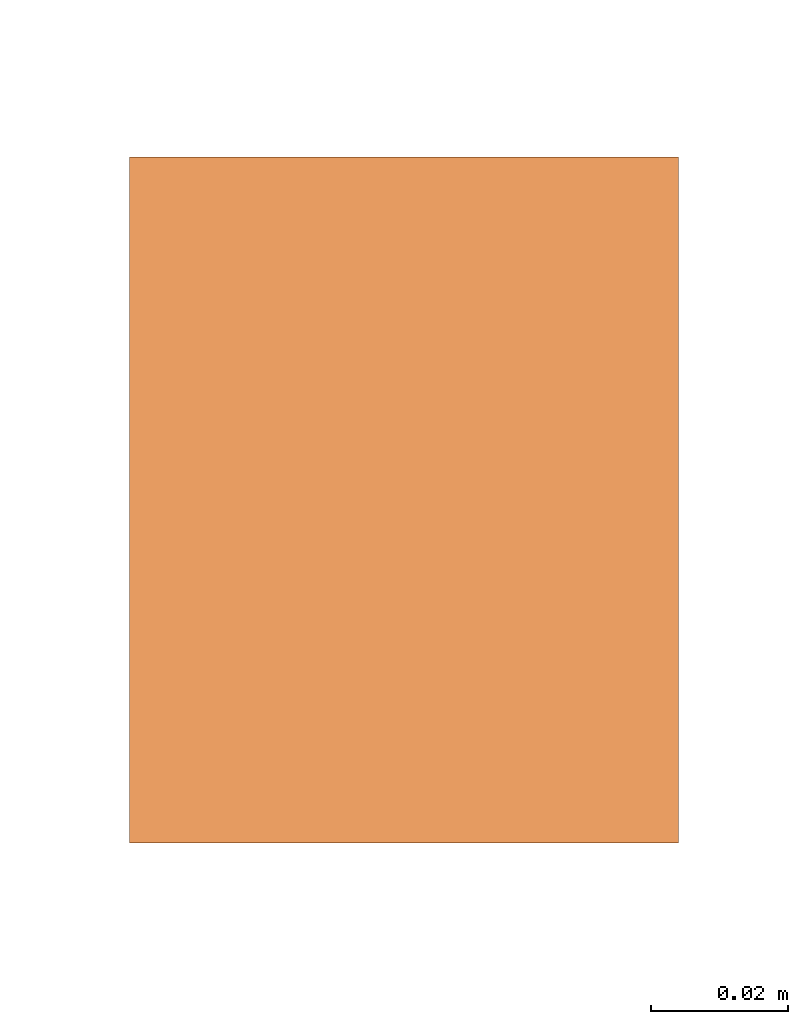
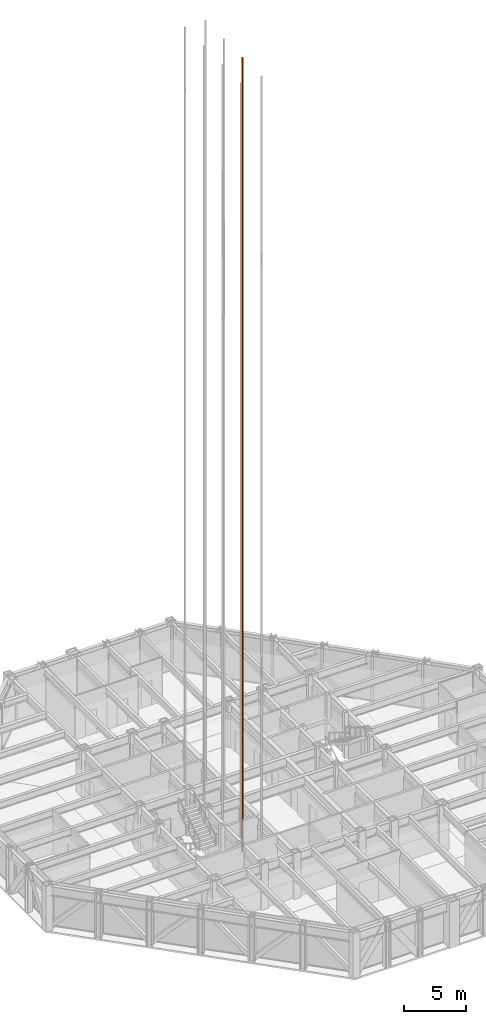
# One storey, part 20 of 24: 1 proxy.
"""IFC4 building model written with IfcOpenShell, lengths in metres."""

from ifc_helpers import new_model, si_unit, direction, frame, origin, origin_2d, place, context, subcontext, project, spatial, rectangle, extrude, material, type_object, element, save


model = new_model("IFC4")

# Units and contexts
model_context = context("Model", 3, precision=1e-05, world=origin(), true_north=direction((0.0, 1.0)))
body_context = subcontext(model_context, "Body", "Model", "MODEL_VIEW")
ifc_project = project(units=[si_unit("LENGTHUNIT", "METRE"), si_unit("AREAUNIT", "SQUARE_METRE"), si_unit("VOLUMEUNIT", "CUBIC_METRE"), si_unit("PLANEANGLEUNIT", "RADIAN"), si_unit("MASSUNIT", "GRAM", prefix="KILO")], contexts=[model_context])

# Site, building, storey
site_placement = place(None, origin())
site = spatial("IfcSite", under=ifc_project, at=site_placement, CompositionType="ELEMENT")
building_placement = place(site_placement, origin())
building = spatial("IfcBuilding", under=site, at=building_placement, Name="Chuquiago Exchange Tower", CompositionType="ELEMENT")
storey_placement = place(building_placement, frame((0.0, 0.0, 180.0)))
storey = spatial("IfcBuildingStorey", under=building, at=storey_placement, Name="L39", CompositionType="ELEMENT", Elevation=180.0)

# Proxy
ifc_material = material(Name="Galvanised steel guide rail", Category="steel")
building_element_proxy_type = type_object("IfcBuildingElementProxyType", Name="LR lift guide rail", PredefinedType="NOTDEFINED", material=ifc_material)
proxy_placement = place(storey_placement, frame((18.93505859375, 19.5, 0.0), z_axis=(0.0, 0.0, 1.0), x_axis=(1.0, 0.0, 0.0)))
element("IfcBuildingElementProxy", 1, at=proxy_placement, inside=storey, type_object=building_element_proxy_type, Name="Lift LC2 guide rail E", PredefinedType="NOTDEFINED", context=body_context, shape_type="SweptSolid", body=[
    extrude(rectangle(XDim=0.080078125, YDim=0.10009765625, at=origin_2d()), origin(), (0.0, 0.0, 1.0), 77.699951171875),
])

save(model, "model.ifc")
